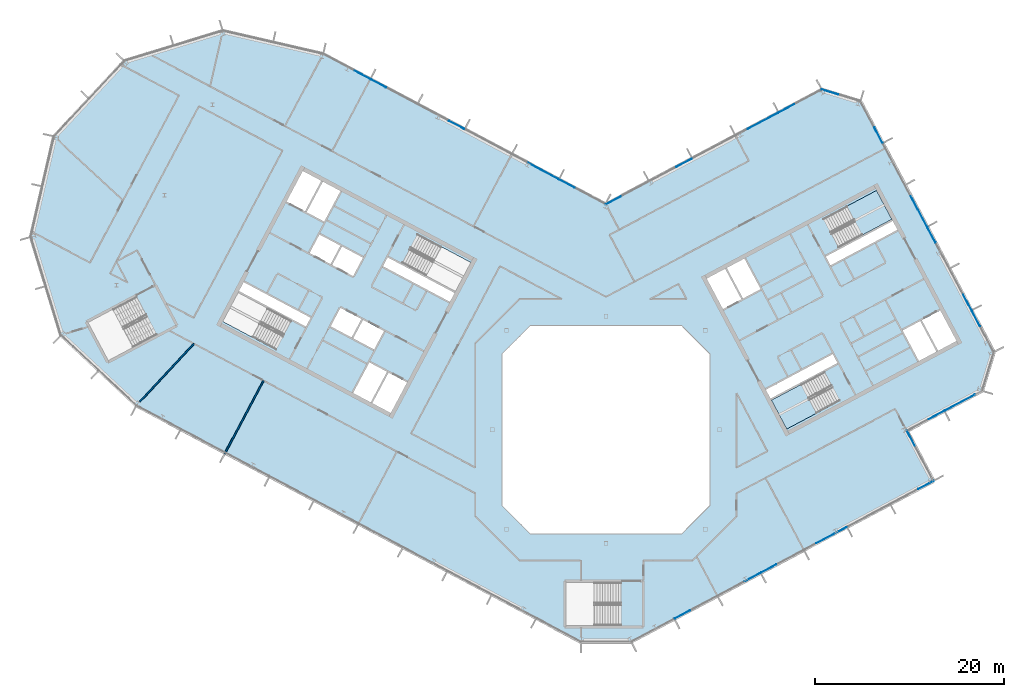
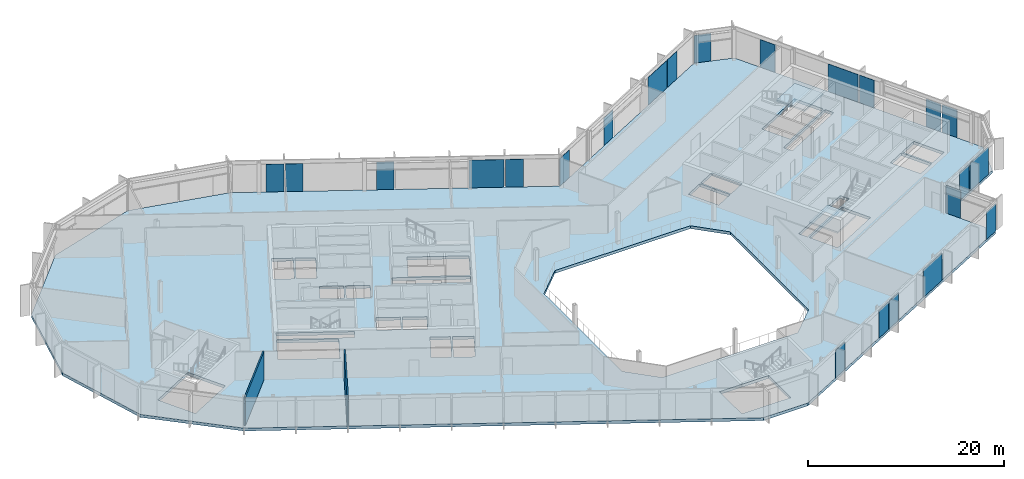
# One storey, part 12 of 26: 23 plates, 3 slabs, 2 walls, 9 elements without a shape of their own.
"""IFC4 building model written with IfcOpenShell, lengths in metres."""

from ifc_helpers import new_model, si_unit, direction, frame, frame_2d, origin, origin_2d, place, context, subcontext, project, spatial, polyline, rectangle, outline, extrude, material, layer, layer_set, type_object, element, aggregate, save


model = new_model("IFC4")

# Units and contexts
model_context = context("Model", 3, precision=1e-05, world=origin(), true_north=direction((0.0, 1.0)))
body_context = subcontext(model_context, "Body", "Model", "MODEL_VIEW")
ifc_project = project(units=[si_unit("LENGTHUNIT", "METRE"), si_unit("AREAUNIT", "SQUARE_METRE"), si_unit("VOLUMEUNIT", "CUBIC_METRE"), si_unit("PLANEANGLEUNIT", "RADIAN"), si_unit("MASSUNIT", "GRAM", prefix="KILO")], contexts=[model_context])

# Site, building, storey
site_placement = place(None, origin())
site = spatial("IfcSite", under=ifc_project, at=site_placement, CompositionType="ELEMENT")
building_placement = place(site_placement, origin())
building = spatial("IfcBuilding", under=site, at=building_placement, Name="Cormorant Relay Tower", CompositionType="ELEMENT")
storey_placement = place(building_placement, frame((0.0, 0.0, 304.800048828125)))
storey = spatial("IfcBuildingStorey", under=building, at=storey_placement, Name="L69", CompositionType="ELEMENT", Elevation=304.800048828125)

# Curtain wall, plates
ifc_material_1 = material(Name="Aluminium 6063-T6 anodised bronze", Category="aluminium")
ifc_layer_1 = layer(ifc_material_1, 0.199951171875)
ifc_layer_set_1 = layer_set([ifc_layer_1], Name="CW1 unitised bronze curtain wall with vertical fins")
curtain_wall_type = type_object("IfcCurtainWallType", Name="CW1 unitised bronze curtain wall with vertical fins", PredefinedType="NOTDEFINED", material=ifc_layer_set_1)
curtain_wall_1_placement = place(storey_placement, origin())
curtain_wall_1 = element("IfcCurtainWall", 1, at=curtain_wall_1_placement, inside=storey, type_object=curtain_wall_type, Name="CW1 curtain wall 2", PredefinedType="NOTDEFINED")
ifc_material_2 = material(Name="Tinted laminated glass", Category="glass")
ifc_layer_2 = layer(ifc_material_2, 0.0400390625)
ifc_layer_set_2 = layer_set([ifc_layer_2], Name="CW1 tinted vision panel 1800 module")
plate_type_1 = type_object("IfcPlateType", Name="CW1 tinted vision panel 1800 module", PredefinedType="CURTAIN_PANEL", material=ifc_layer_set_2)
plate_1_placement = place(storey_placement, frame((8.080810546875, -19.510009765625, 0.0), z_axis=(0.0, 0.0, 1.0), x_axis=(0.882947592859, 0.469471562786, 0.0)))
plate_1 = element("IfcPlate", 2, at=plate_1_placement, type_object=plate_type_1, Name="CW1 panel V01", PredefinedType="CURTAIN_PANEL", context=body_context, shape_type="SweptSolid", body=[
    extrude(rectangle(XDim=1.800048828125, YDim=0.0400390625, at=origin_2d()), origin(), (0.0, 0.0, 1.0), 3.449951171875),
])
plate_2_placement = place(storey_placement, frame((15.48291015625, -15.57421875, 0.0), z_axis=(0.0, 0.0, 1.0), x_axis=(0.882947592859, 0.469471562786, 0.0)))
plate_2 = element("IfcPlate", 3, at=plate_2_placement, type_object=plate_type_1, Name="CW1 panel V03", PredefinedType="CURTAIN_PANEL", context=body_context, shape_type="SweptSolid", body=[
    extrude(rectangle(XDim=1.800048828125, YDim=0.0400390625, at=origin_2d()), origin(), (0.0, 0.0, 1.0), 3.449951171875),
])
plate_3_placement = place(storey_placement, frame((17.20458984375, -14.65869140625, 0.0), z_axis=(0.0, 0.0, 1.0), x_axis=(0.882947592859, 0.469471562786, 0.0)))
plate_3 = element("IfcPlate", 4, at=plate_3_placement, type_object=plate_type_1, Name="CW1 panel V04", PredefinedType="CURTAIN_PANEL", context=body_context, shape_type="SweptSolid", body=[
    extrude(rectangle(XDim=1.800048828125, YDim=0.0400390625, at=origin_2d()), origin(), (0.0, 0.0, 1.0), 3.449951171875),
])
plate_4_placement = place(storey_placement, frame((33.796142578125, -5.8369140625, 0.0), z_axis=(0.0, 0.0, 1.0), x_axis=(0.882947592859, 0.469471562786, 0.0)))
plate_4 = element("IfcPlate", 5, at=plate_4_placement, type_object=plate_type_1, Name="CW1 panel V08", PredefinedType="CURTAIN_PANEL", context=body_context, shape_type="SweptSolid", body=[
    extrude(rectangle(XDim=1.800048828125, YDim=0.0400390625, at=origin_2d()), origin(), (0.0, 0.0, 1.0), 3.449951171875),
])

# Curtain wall, plate
curtain_wall_2_placement = place(storey_placement, origin())
curtain_wall_2 = element("IfcCurtainWall", 6, at=curtain_wall_2_placement, inside=storey, type_object=curtain_wall_type, Name="CW1 curtain wall 3", PredefinedType="NOTDEFINED")
plate_5_placement = place(storey_placement, frame((32.204833984375, -0.88427734375, 0.0), z_axis=(0.0, 0.0, 1.0), x_axis=(-0.469471562786, 0.882947592859, 0.0)))
plate_5 = element("IfcPlate", 7, at=plate_5_placement, type_object=plate_type_1, Name="CW1 panel V01", PredefinedType="CURTAIN_PANEL", context=body_context, shape_type="SweptSolid", body=[
    extrude(rectangle(XDim=1.800048828125, YDim=0.0400390625, at=origin_2d()), origin(), (0.0, 0.0, 1.0), 3.449951171875),
])
aggregate(curtain_wall_2, [plate_5])

curtain_wall_3_placement = place(storey_placement, origin())
curtain_wall_3 = element("IfcCurtainWall", 8, at=curtain_wall_3_placement, inside=storey, type_object=curtain_wall_type, Name="CW1 curtain wall 4", PredefinedType="NOTDEFINED")
plate_6_placement = place(storey_placement, frame((34.886474609375, 1.5380859375, 0.0), z_axis=(0.0, 0.0, 1.0), x_axis=(0.882947592859, 0.469471562786, 0.0)))
plate_6 = element("IfcPlate", 9, at=plate_6_placement, type_object=plate_type_1, Name="CW1 panel V01", PredefinedType="CURTAIN_PANEL", context=body_context, shape_type="SweptSolid", body=[
    extrude(rectangle(XDim=1.800048828125, YDim=0.0400390625, at=origin_2d()), origin(), (0.0, 0.0, 1.0), 3.449951171875),
])

# Curtain wall, plates
curtain_wall_4_placement = place(storey_placement, origin())
curtain_wall_4 = element("IfcCurtainWall", 10, at=curtain_wall_4_placement, inside=storey, type_object=curtain_wall_type, Name="CW1 curtain wall 6", PredefinedType="NOTDEFINED")
plate_7_placement = place(storey_placement, frame((39.07958984375, 11.74658203125, 0.0), z_axis=(0.0, 0.0, 1.0), x_axis=(-0.469471562786, 0.882947592859, 0.0)))
plate_7 = element("IfcPlate", 11, at=plate_7_placement, type_object=plate_type_1, Name="CW1 panel V01", PredefinedType="CURTAIN_PANEL", context=body_context, shape_type="SweptSolid", body=[
    extrude(rectangle(XDim=1.800048828125, YDim=0.0400390625, at=origin_2d()), origin(), (0.0, 0.0, 1.0), 3.449951171875),
])
plate_8_placement = place(storey_placement, frame((38.1640625, 13.468505859375, 0.0), z_axis=(0.0, 0.0, 1.0), x_axis=(-0.469471562786, 0.882947592859, 0.0)))
plate_8 = element("IfcPlate", 12, at=plate_8_placement, type_object=plate_type_1, Name="CW1 panel V02", PredefinedType="CURTAIN_PANEL", context=body_context, shape_type="SweptSolid", body=[
    extrude(rectangle(XDim=1.800048828125, YDim=0.0400390625, at=origin_2d()), origin(), (0.0, 0.0, 1.0), 3.449951171875),
])
plate_9_placement = place(storey_placement, frame((34.385009765625, 20.576171875, 0.0), z_axis=(0.0, 0.0, 1.0), x_axis=(-0.469471562786, 0.882947592859, 0.0)))
plate_9 = element("IfcPlate", 13, at=plate_9_placement, type_object=plate_type_1, Name="CW1 panel V04", PredefinedType="CURTAIN_PANEL", context=body_context, shape_type="SweptSolid", body=[
    extrude(rectangle(XDim=1.800048828125, YDim=0.0400390625, at=origin_2d()), origin(), (0.0, 0.0, 1.0), 3.449951171875),
])
plate_10_placement = place(storey_placement, frame((28.774658203125, 31.12744140625, 0.0), z_axis=(0.0, 0.0, 1.0), x_axis=(-0.469471562786, 0.882947592859, 0.0)))
plate_10 = element("IfcPlate", 14, at=plate_10_placement, type_object=plate_type_1, Name="CW1 panel V07", PredefinedType="CURTAIN_PANEL", context=body_context, shape_type="SweptSolid", body=[
    extrude(rectangle(XDim=1.800048828125, YDim=0.0400390625, at=origin_2d()), origin(), (0.0, 0.0, 1.0), 3.449951171875),
])

# Curtain wall, plate
curtain_wall_5_placement = place(storey_placement, origin())
curtain_wall_5 = element("IfcCurtainWall", 15, at=curtain_wall_5_placement, inside=storey, type_object=curtain_wall_type, Name="CW1 curtain wall 7", PredefinedType="NOTDEFINED")
plate_11_placement = place(storey_placement, frame((23.6767578125, 35.668212890625, 0.0), z_axis=(0.0, 0.0, 1.0), x_axis=(-0.956304755963, 0.292371704723, 0.0)))
plate_11 = element("IfcPlate", 16, at=plate_11_placement, type_object=plate_type_1, Name="CW1 panel V01", PredefinedType="CURTAIN_PANEL", context=body_context, shape_type="SweptSolid", body=[
    extrude(rectangle(XDim=1.800048828125, YDim=0.0400390625, at=origin_2d()), origin(), (0.0, 0.0, 1.0), 3.449951171875),
])
aggregate(curtain_wall_5, [plate_11])

# Curtain wall, plates
curtain_wall_6_placement = place(storey_placement, origin())
curtain_wall_6 = element("IfcCurtainWall", 17, at=curtain_wall_6_placement, inside=storey, type_object=curtain_wall_type, Name="CW1 curtain wall 8", PredefinedType="NOTDEFINED")
plate_12_placement = place(storey_placement, frame((19.099609375, 33.962158203125, 0.0), z_axis=(0.0, 0.0, 1.0), x_axis=(-0.882947592859, -0.469471562786, 0.0)))
plate_12 = element("IfcPlate", 18, at=plate_12_placement, type_object=plate_type_1, Name="CW1 panel V01", PredefinedType="CURTAIN_PANEL", context=body_context, shape_type="SweptSolid", body=[
    extrude(rectangle(XDim=1.800048828125, YDim=0.0400390625, at=origin_2d()), origin(), (0.0, 0.0, 1.0), 3.449951171875),
])
plate_13_placement = place(storey_placement, frame((8.25390625, 28.1953125, 0.0), z_axis=(0.0, 0.0, 1.0), x_axis=(-0.882947592859, -0.469471562786, 0.0)))
plate_13 = element("IfcPlate", 19, at=plate_13_placement, type_object=plate_type_1, Name="CW1 panel V04", PredefinedType="CURTAIN_PANEL", context=body_context, shape_type="SweptSolid", body=[
    extrude(rectangle(XDim=1.800048828125, YDim=0.0400390625, at=origin_2d()), origin(), (0.0, 0.0, 1.0), 3.449951171875),
])
plate_14_placement = place(storey_placement, frame((0.785400390625, 24.22412109375, 0.0), z_axis=(0.0, 0.0, 1.0), x_axis=(-0.882947592859, -0.469471562786, 0.0)))
plate_14 = element("IfcPlate", 20, at=plate_14_placement, type_object=plate_type_1, Name="CW1 panel V06", PredefinedType="CURTAIN_PANEL", context=body_context, shape_type="SweptSolid", body=[
    extrude(rectangle(XDim=1.800048828125, YDim=0.0400390625, at=origin_2d()), origin(), (0.0, 0.0, 1.0), 3.449951171875),
])

curtain_wall_7_placement = place(storey_placement, origin())
curtain_wall_7 = element("IfcCurtainWall", 21, at=curtain_wall_7_placement, inside=storey, type_object=curtain_wall_type, Name="CW1 curtain wall 9", PredefinedType="NOTDEFINED")
plate_15_placement = place(storey_placement, frame((-4.108642578125, 25.9912109375, 0.0), z_axis=(0.0, 0.0, 1.0), x_axis=(-0.882947592859, 0.469471562786, 0.0)))
plate_15 = element("IfcPlate", 22, at=plate_15_placement, type_object=plate_type_1, Name="CW1 panel V01", PredefinedType="CURTAIN_PANEL", context=body_context, shape_type="SweptSolid", body=[
    extrude(rectangle(XDim=1.800048828125, YDim=0.0400390625, at=origin_2d()), origin(), (0.0, 0.0, 1.0), 3.449951171875),
])
plate_16_placement = place(storey_placement, frame((-15.788330078125, 32.201416015625, 0.0), z_axis=(0.0, 0.0, 1.0), x_axis=(-0.882947592859, 0.469471562786, 0.0)))
plate_16 = element("IfcPlate", 23, at=plate_16_placement, type_object=plate_type_1, Name="CW1 panel V04", PredefinedType="CURTAIN_PANEL", context=body_context, shape_type="SweptSolid", body=[
    extrude(rectangle(XDim=1.800048828125, YDim=0.0400390625, at=origin_2d()), origin(), (0.0, 0.0, 1.0), 3.449951171875),
])
plate_17_placement = place(storey_placement, frame((-24.0244140625, 36.580810546875, 0.0), z_axis=(0.0, 0.0, 1.0), x_axis=(-0.882947592859, 0.469471562786, 0.0)))
plate_17 = element("IfcPlate", 24, at=plate_17_placement, type_object=plate_type_1, Name="CW1 panel V06", PredefinedType="CURTAIN_PANEL", context=body_context, shape_type="SweptSolid", body=[
    extrude(rectangle(XDim=1.800048828125, YDim=0.0400390625, at=origin_2d()), origin(), (0.0, 0.0, 1.0), 3.449951171875),
])
plate_18_placement = place(storey_placement, frame((-25.746337890625, 37.49609375, 0.0), z_axis=(0.0, 0.0, 1.0), x_axis=(-0.882947592859, 0.469471562786, 0.0)))
plate_18 = element("IfcPlate", 25, at=plate_18_placement, type_object=plate_type_1, Name="CW1 panel V07", PredefinedType="CURTAIN_PANEL", context=body_context, shape_type="SweptSolid", body=[
    extrude(rectangle(XDim=1.800048828125, YDim=0.0400390625, at=origin_2d()), origin(), (0.0, 0.0, 1.0), 3.449951171875),
])

# Plate
ifc_material_3 = material(Name="Tinted laminated glass", Category="glass")
ifc_layer_3 = layer(ifc_material_3, 0.0400390625)
ifc_layer_set_3 = layer_set([ifc_layer_3], Name="CW1 tinted vision panel 3600 module")
plate_type_2 = type_object("IfcPlateType", Name="CW1 tinted vision panel 3600 module", PredefinedType="CURTAIN_PANEL", material=ifc_layer_set_3)
plate_19_placement = place(storey_placement, frame((23.811767578125, -11.145751953125, 0.0), z_axis=(0.0, 0.0, 1.0), x_axis=(0.882947592859, 0.469471562786, 0.0)))
plate_19 = element("IfcPlate", 26, at=plate_19_placement, type_object=plate_type_2, Name="CW1 panel V06", PredefinedType="CURTAIN_PANEL", context=body_context, shape_type="SweptSolid", body=[
    extrude(rectangle(XDim=3.60009765625, YDim=0.0400390625, at=origin_2d()), origin(), (0.0, 0.0, 1.0), 3.449951171875),
])

aggregate(curtain_wall_1, [plate_1, plate_2, plate_3, plate_19, plate_4])

plate_20_placement = place(storey_placement, frame((37.40283203125, 2.876220703125, 0.0), z_axis=(0.0, 0.0, 1.0), x_axis=(0.882947592859, 0.469471562786, 0.0)))
plate_20 = element("IfcPlate", 27, at=plate_20_placement, type_object=plate_type_2, Name="CW1 panel V02", PredefinedType="CURTAIN_PANEL", context=body_context, shape_type="SweptSolid", body=[
    extrude(rectangle(XDim=3.60009765625, YDim=0.0400390625, at=origin_2d()), origin(), (0.0, 0.0, 1.0), 3.449951171875),
])

aggregate(curtain_wall_3, [plate_6, plate_20])

plate_21_placement = place(storey_placement, frame((33.046875, 23.092529296875, 0.0), z_axis=(0.0, 0.0, 1.0), x_axis=(-0.469471562786, 0.882947592859, 0.0)))
plate_21 = element("IfcPlate", 28, at=plate_21_placement, type_object=plate_type_2, Name="CW1 panel V05", PredefinedType="CURTAIN_PANEL", context=body_context, shape_type="SweptSolid", body=[
    extrude(rectangle(XDim=3.60009765625, YDim=0.0400390625, at=origin_2d()), origin(), (0.0, 0.0, 1.0), 3.449951171875),
])

aggregate(curtain_wall_4, [plate_7, plate_8, plate_9, plate_21, plate_10])

plate_22_placement = place(storey_placement, frame((16.583251953125, 32.6240234375, 0.0), z_axis=(0.0, 0.0, 1.0), x_axis=(-0.882947592859, -0.469471562786, 0.0)))
plate_22 = element("IfcPlate", 29, at=plate_22_placement, type_object=plate_type_2, Name="CW1 panel V02", PredefinedType="CURTAIN_PANEL", context=body_context, shape_type="SweptSolid", body=[
    extrude(rectangle(XDim=3.60009765625, YDim=0.0400390625, at=origin_2d()), origin(), (0.0, 0.0, 1.0), 3.449951171875),
])

aggregate(curtain_wall_6, [plate_12, plate_22, plate_13, plate_14])

plate_23_placement = place(storey_placement, frame((-6.625, 27.3291015625, 0.0), z_axis=(0.0, 0.0, 1.0), x_axis=(-0.882947592859, 0.469471562786, 0.0)))
plate_23 = element("IfcPlate", 30, at=plate_23_placement, type_object=plate_type_2, Name="CW1 panel V02", PredefinedType="CURTAIN_PANEL", context=body_context, shape_type="SweptSolid", body=[
    extrude(rectangle(XDim=3.60009765625, YDim=0.0400390625, at=origin_2d()), origin(), (0.0, 0.0, 1.0), 3.449951171875),
])

aggregate(curtain_wall_7, [plate_15, plate_23, plate_16, plate_17, plate_18])

# Stair, slab
ifc_material_4 = material(Name="Concrete 40 MPa", Category="concrete")
stair_type = type_object("IfcStairType", Name="Exit stair 1500", PredefinedType="HALF_TURN_STAIR", material=ifc_material_4)
stair_1_placement = place(storey_placement, origin())
stair_1 = element("IfcStair", 31, at=stair_1_placement, inside=storey, type_object=stair_type, Name="L69 Stair", PredefinedType="HALF_TURN_STAIR")
ifc_material_5 = material(Name="Concrete 40 MPa", Category="concrete")
ifc_layer_4 = layer(ifc_material_5, 0.199951171875)
ifc_layer_set_4 = layer_set([ifc_layer_4], Name="Exit stair landing 200")
slab_type_1 = type_object("IfcSlabType", Name="Exit stair landing 200", PredefinedType="LANDING", material=ifc_layer_set_4)
slab_1_placement = place(storey_placement, frame((0.0, 0.0, 1.75)))
slab_1 = element("IfcSlab", 32, at=slab_1_placement, type_object=slab_type_1, Name="B1 landing 1", PredefinedType="LANDING", context=body_context, shape_type="SweptSolid", body=[
    extrude(outline(polyline([(20.614990234375, 4.78857421875), (17.48046875, 3.1220703125), (19.10009765625, 0.075927734375), (22.234619140625, 1.742431640625), (20.614990234375, 4.78857421875)])), origin(), (0.0, 0.0, 1.0), 0.199951171875),
])
aggregate(stair_1, [slab_1])

stair_2_placement = place(storey_placement, origin())
stair_2 = element("IfcStair", 33, at=stair_2_placement, inside=storey, type_object=stair_type, Name="L69 Stair", PredefinedType="HALF_TURN_STAIR")
slab_2_placement = place(storey_placement, frame((0.0, 0.0, 1.75)))
slab_2 = element("IfcSlab", 34, at=slab_2_placement, type_object=slab_type_1, Name="B2 landing 1", PredefinedType="LANDING", context=body_context, shape_type="SweptSolid", body=[
    extrude(outline(polyline([(27.064208984375, 20.562744140625), (30.19873046875, 22.2294921875), (28.5791015625, 25.275634765625), (25.444580078125, 23.60888671875), (27.064208984375, 20.562744140625)])), origin(), (0.0, 0.0, 1.0), 0.199951171875),
])
aggregate(stair_2, [slab_2])

# Slab
ifc_material_6 = material(Name="Concrete 40 MPa", Category="concrete")
ifc_layer_5 = layer(ifc_material_6, 0.360107421875)
ifc_layer_set_5 = layer_set([ifc_layer_5], Name="Flat plate 360")
slab_type_2 = type_object("IfcSlabType", Name="Flat plate 360", PredefinedType="FLOOR", material=ifc_layer_set_5)
slab_3_placement = place(storey_placement, frame((0.0, 0.0, -0.360107421875)))
element("IfcSlab", 35, at=slab_3_placement, inside=storey, type_object=slab_type_2, Name="Floor slab L69", PredefinedType="FLOOR", context=body_context, shape_type="SweptSolid", body=[
    extrude(outline(polyline([(-60.7197265625, 20.393310546875), (-58.2744140625, 30.985107421875), (-50.86083984375, 38.935302734375), (-40.465576171875, 42.11328125), (-29.873779296875, 39.668212890625), (0.0, 23.783935546875), (22.810302734375, 35.912353515625), (26.867431640625, 34.671875), (40.95166015625, 8.18359375), (39.711181640625, 4.126220703125), (31.7646484375, -0.09912109375), (34.581298828125, -5.396728515625), (2.648681640625, -22.37548828125), (-2.648681640625, -22.37548828125), (-49.591552734375, 2.584228515625), (-57.541748046875, 9.997802734375), (-60.7197265625, 20.393310546875)]), holes=[polyline([(11.0, -8.0), (11.0, 8.0), (8.0, 11.0), (-8.0, 11.0), (-11.0, 8.0), (-11.0, -8.0), (-8.0, -11.0), (8.0, -11.0), (11.0, -8.0)]), polyline([(-22.95458984375, 6.03271484375), (-24.668212890625, 2.81005859375), (-22.725830078125, 1.777099609375), (-21.01220703125, 5.0), (-23.04296875, 6.07958984375), (-22.95458984375, 6.03271484375)]), polyline([(-24.985595703125, 7.112548828125), (-26.69921875, 3.889892578125), (-24.844970703125, 2.90380859375), (-23.13134765625, 6.126708984375), (-23.04296875, 6.07958984375), (-24.985595703125, 7.112548828125)]), polyline([(-24.481201171875, 8.48681640625), (-23.448486328125, 10.42919921875), (-25.656005859375, 11.602783203125), (-26.688720703125, 9.660400390625), (-24.481201171875, 8.48681640625)]), polyline([(-49.57861328125, 14.0537109375), (-54.69970703125, 11.330810546875), (-52.563720703125, 7.3134765625), (-47.442626953125, 10.036376953125), (-49.57861328125, 14.0537109375)]), polyline([(-25.83251953125, 11.69677734375), (-28.039794921875, 12.870361328125), (-29.07275390625, 10.927978515625), (-26.865234375, 9.75439453125), (-25.83251953125, 11.69677734375)]), polyline([(-38.847900390625, 14.483154296875), (-40.46728515625, 11.43701171875), (-34.860595703125, 8.455810546875), (-33.240966796875, 11.502197265625), (-38.847900390625, 14.483154296875)]), polyline([(-38.260986328125, 15.5869140625), (-38.75390625, 14.659912109375), (-31.690185546875, 10.904052734375), (-31.197265625, 11.8310546875), (-38.260986328125, 15.5869140625)]), polyline([(-26.702880859375, 16.23681640625), (-25.670166015625, 18.17919921875), (-27.87744140625, 19.35302734375), (-28.910400390625, 17.410400390625), (-26.702880859375, 16.23681640625)]), polyline([(-31.294189453125, 18.677978515625), (-29.0869140625, 17.50439453125), (-28.053955078125, 19.447021484375), (-30.261474609375, 20.62060546875), (-31.294189453125, 18.677978515625)]), polyline([(-31.611572265625, 22.980712890625), (-29.75732421875, 21.99462890625), (-28.043701171875, 25.217529296875), (-29.89794921875, 26.203369140625), (-31.611572265625, 22.980712890625)]), polyline([(-32.01708984375, 27.330078125), (-33.73046875, 24.107421875), (-31.7880859375, 23.074462890625), (-30.074462890625, 26.29736328125), (-32.01708984375, 27.330078125)]), polyline([(-4.199951171875, -16.125), (-4.199951171875, -20.675048828125), (1.60009765625, -20.675048828125), (1.60009765625, -16.125), (-4.199951171875, -16.125)]), polyline([(17.48046875, 3.1220703125), (19.10009765625, 0.07568359375), (24.706787109375, 3.056884765625), (23.087158203125, 6.10302734375), (17.48046875, 3.1220703125)]), polyline([(17.386474609375, 3.298583984375), (24.4501953125, 7.054443359375), (23.957275390625, 7.9814453125), (16.8935546875, 4.2255859375), (17.386474609375, 3.298583984375)]), polyline([(33.197021484375, 11.478515625), (31.3427734375, 10.49267578125), (33.056396484375, 7.27001953125), (34.910400390625, 8.255859375), (33.197021484375, 11.478515625)]), polyline([(33.37353515625, 11.572509765625), (35.087158203125, 8.349609375), (37.029541015625, 9.382568359375), (35.31591796875, 12.605224609375), (33.37353515625, 11.572509765625)]), polyline([(14.3056640625, 13.779052734375), (12.592041015625, 17.001708984375), (10.649658203125, 15.968994140625), (12.36328125, 12.74609375), (14.39404296875, 13.825927734375), (14.3056640625, 13.779052734375)]), polyline([(16.33642578125, 14.85888671875), (14.622802734375, 18.08154296875), (12.768798828125, 17.095703125), (14.482421875, 13.872802734375), (14.39404296875, 13.825927734375), (16.33642578125, 14.85888671875)]), polyline([(-16.481689453125, 13.520263671875), (-15.989013671875, 14.447509765625), (-23.052490234375, 18.203125), (-23.54541015625, 17.276123046875), (-16.481689453125, 13.520263671875)]), polyline([(-15.89501953125, 14.6240234375), (-14.275390625, 17.670166015625), (-19.882080078125, 20.6513671875), (-21.501708984375, 17.605224609375), (-15.89501953125, 14.6240234375)]), polyline([(30.78564453125, 21.125732421875), (30.29248046875, 22.052978515625), (23.22900390625, 18.297119140625), (23.721923828125, 17.3701171875), (30.78564453125, 21.125732421875)]), polyline([(24.592041015625, 19.248291015625), (30.19873046875, 22.2294921875), (28.5791015625, 25.275634765625), (22.972412109375, 22.29443359375), (24.592041015625, 19.248291015625)])]), origin(), (0.0, 0.0, 1.0), 0.360107421875),
])

# Walls
ifc_material_7 = material(Name="Gypsum board partition")
ifc_layer_6 = layer(ifc_material_7, 0.14990234375)
ifc_layer_set_6 = layer_set([ifc_layer_6], Name="Tenant partition 150")
wall_type = type_object("IfcWallType", Name="Tenant partition 150", PredefinedType="PARTITIONING", material=ifc_layer_set_6)
wall_1_placement = place(storey_placement, frame((-43.51904296875, 9.095947265625, 0.0), z_axis=(0.0, 0.0, 1.0), x_axis=(-0.682006444307, -0.731346162856, 0.0)))
element("IfcWall", 36, at=wall_1_placement, inside=storey, type_object=wall_type, Name="wall/L69/part/006", PredefinedType="PARTITIONING", context=body_context, shape_type="SweptSolid", body=[
    extrude(rectangle(XDim=8.4267578125, YDim=0.14990234375, at=frame_2d((4.21337890625, 0.0))), origin(), (0.0, 0.0, 1.0), 3.5400390625),
])
wall_2_placement = place(storey_placement, frame((-36.166015625, 5.18603515625, 0.0), z_axis=(0.0, 0.0, 1.0), x_axis=(-0.469445946219, -0.882961212952, 0.0)))
element("IfcWall", 37, at=wall_2_placement, inside=storey, type_object=wall_type, Name="wall/L69/part/007", PredefinedType="PARTITIONING", context=body_context, shape_type="SweptSolid", body=[
    extrude(rectangle(XDim=8.800048828125, YDim=0.14990234375, at=frame_2d((4.39990234375, 0.0))), origin(), (0.0, 0.0, 1.0), 3.5400390625),
])

save(model, "model.ifc")
